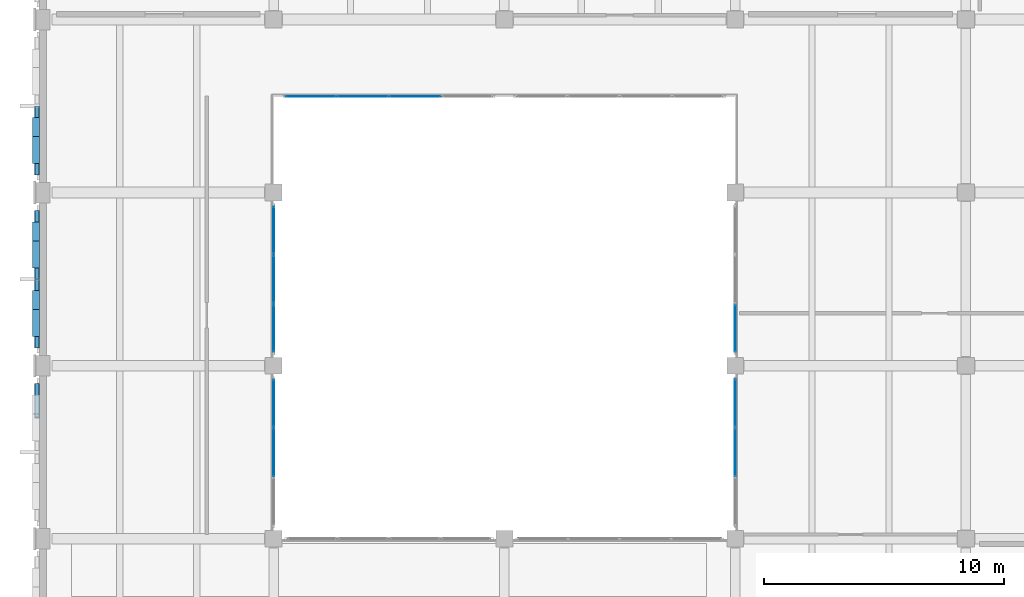
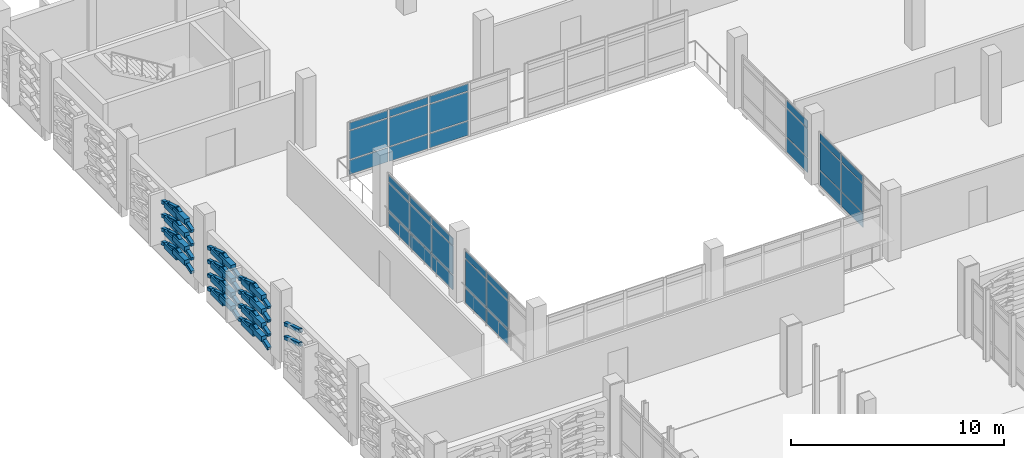
# One storey, part 97 of 134: 83 plates, 5 elements without a shape of their own.
"""IFC4 building model written with IfcOpenShell, lengths in metres."""

from ifc_helpers import new_model, si_unit, direction, frame, origin, origin_2d, place, context, subcontext, project, spatial, rectangle, hollow_rectangle, extrude, material, layer, layer_set, material_profile, profile_set, type_object, element, aggregate, save


model = new_model("IFC4")

# Units and contexts
model_context = context("Model", 3, precision=1e-05, world=origin(), true_north=direction((0.0, 1.0)))
body_context = subcontext(model_context, "Body", "Model", "MODEL_VIEW")
ifc_project = project(units=[si_unit("LENGTHUNIT", "METRE"), si_unit("AREAUNIT", "SQUARE_METRE"), si_unit("VOLUMEUNIT", "CUBIC_METRE"), si_unit("PLANEANGLEUNIT", "RADIAN"), si_unit("MASSUNIT", "GRAM", prefix="KILO")], contexts=[model_context])

# Site, building, storey
site_placement = place(None, origin())
site = spatial("IfcSite", under=ifc_project, at=site_placement, CompositionType="ELEMENT")
building_placement = place(site_placement, origin())
building = spatial("IfcBuilding", under=site, at=building_placement, Name="Asteropetra Specialist Clinic", CompositionType="ELEMENT")
storey_placement = place(building_placement, frame((0.0, 0.0, 8.5)))
storey = spatial("IfcBuildingStorey", under=building, at=storey_placement, Name="L02", CompositionType="ELEMENT", Elevation=8.5)

# Plates
ifc_material_1 = material(Name="Chevron emerald aluminium 6063-T6", Category="aluminium")
ifc_material_profile = material_profile(ifc_material_1, hollow_rectangle(XDim=0.199951171875, YDim=0.199951171875, WallThickness=0.010009765625, InnerFilletRadius=0.008056640625, OuterFilletRadius=0.01611328125, at=origin_2d()), Name="SHS 200x200x10.0")
ifc_profile_set = profile_set([ifc_material_profile], Name="Chevron emerald aluminium 6063-T6")
plate_type_1 = type_object("IfcPlateType", Name="CHV-RIB-200", PredefinedType="SHEET", material=ifc_profile_set)
plate_1_placement = place(storey_placement, frame((-0.241943359375, 83.235107421875, 1.6201171875), z_axis=(0.0, -0.952525753893, 0.30445802366), x_axis=(1.0, 0.0, 0.0)))
element("IfcPlate", 1, at=plate_1_placement, inside=storey, type_object=plate_type_1, Name="Chevron Facade Screen Fin CVR-1063", PredefinedType="SHEET", context=body_context, shape_type="SweptSolid", body=[
    extrude(hollow_rectangle(XDim=0.199951171875, YDim=0.199951171875, WallThickness=0.010009765625, InnerFilletRadius=0.008056640625, OuterFilletRadius=0.01611328125, at=origin_2d()), origin(), (0.0, 0.0, 1.0), 1.477783203125),
])
plate_2_placement = place(storey_placement, frame((-0.241943359375, 83.235107421875, 2.39990234375), z_axis=(0.0, -0.95247783671, 0.304607896444), x_axis=(1.0, 0.0, 0.0)))
element("IfcPlate", 2, at=plate_2_placement, inside=storey, type_object=plate_type_1, Name="Chevron Facade Screen Fin CVR-1065", PredefinedType="SHEET", context=body_context, shape_type="SweptSolid", body=[
    extrude(hollow_rectangle(XDim=0.199951171875, YDim=0.199951171875, WallThickness=0.010009765625, InnerFilletRadius=0.008056640625, OuterFilletRadius=0.01611328125, at=origin_2d()), origin(), (0.0, 0.0, 1.0), 1.47802734375),
])
for number, where, z_axis, x_axis, name in (
    (3, (-0.241943359375, 90.43505859375, 0.050048828125), (0.0, -0.952510437396, 0.304505938616), (1.0, 0.0, 0.0), "Chevron Facade Screen Fin CVR-1091"),
    (4, (-0.241943359375, 89.027587890625, 0.5), (0.0, -0.952510437396, -0.304505938616), (1.0, 0.0, 0.0), "Chevron Facade Screen Fin CVR-1092"),
    (5, (-0.241943359375, 90.43505859375, 0.820068359375), (0.0, -0.952510437396, 0.304505938616), (1.0, 0.0, 0.0), "Chevron Facade Screen Fin CVR-1093"),
    (6, (-0.241943359375, 89.027587890625, 1.27001953125), (0.0, -0.952510437396, -0.304505938616), (1.0, 0.0, 0.0), "Chevron Facade Screen Fin CVR-1094"),
    (7, (-0.241943359375, 90.43505859375, 1.6201171875), (0.0, -0.952510437396, 0.304505938616), (1.0, 0.0, 0.0), "Chevron Facade Screen Fin CVR-1095"),
    (8, (-0.241943359375, 89.027587890625, 2.070068359375), (0.0, -0.952510437396, -0.304505938616), (1.0, 0.0, 0.0), "Chevron Facade Screen Fin CVR-1096"),
):
    element("IfcPlate", number, at=place(storey_placement, frame(where, z_axis=z_axis, x_axis=x_axis)), inside=storey, type_object=plate_type_1, Name=name, PredefinedType="SHEET", context=body_context, shape_type="SweptSolid", body=[
        extrude(hollow_rectangle(XDim=0.199951171875, YDim=0.199951171875, WallThickness=0.010009765625, InnerFilletRadius=0.008056640625, OuterFilletRadius=0.01611328125, at=origin_2d()), origin(), (0.0, 0.0, 1.0), 1.4775390625),
    ])
for number, where, z_axis, x_axis, name in (
    (9, (-0.241943359375, 90.43505859375, 2.39990234375), (0.0, -0.952462505902, 0.304655830162), (1.0, 0.0, 0.0), "Chevron Facade Screen Fin CVR-1097"),
    (10, (-0.241943359375, 89.027587890625, 2.85009765625), (0.0, -0.952462505902, -0.304655830162), (1.0, 0.0, 0.0), "Chevron Facade Screen Fin CVR-1098"),
):
    element("IfcPlate", number, at=place(storey_placement, frame(where, z_axis=z_axis, x_axis=x_axis)), inside=storey, type_object=plate_type_1, Name=name, PredefinedType="SHEET", context=body_context, shape_type="SweptSolid", body=[
        extrude(hollow_rectangle(XDim=0.199951171875, YDim=0.199951171875, WallThickness=0.010009765625, InnerFilletRadius=0.008056640625, OuterFilletRadius=0.01611328125, at=origin_2d()), origin(), (0.0, 0.0, 1.0), 1.477783203125),
    ])
plate_3_placement = place(storey_placement, frame((-0.241943359375, 87.580078125, 0.050048828125), z_axis=(0.0, -0.952510437396, 0.304505938616), x_axis=(1.0, 0.0, 0.0)))
element("IfcPlate", 11, at=plate_3_placement, inside=storey, type_object=plate_type_1, Name="Chevron Facade Screen Fin CVR-1099", PredefinedType="SHEET", context=body_context, shape_type="SweptSolid", body=[
    extrude(hollow_rectangle(XDim=0.199951171875, YDim=0.199951171875, WallThickness=0.010009765625, InnerFilletRadius=0.008056640625, OuterFilletRadius=0.01611328125, at=origin_2d()), origin(), (0.0, 0.0, 1.0), 1.4775390625),
])
plate_4_placement = place(storey_placement, frame((-0.241943359375, 86.172607421875, 0.5), z_axis=(0.0, -0.952525753893, -0.30445802366), x_axis=(1.0, 0.0, 0.0)))
element("IfcPlate", 12, at=plate_4_placement, inside=storey, type_object=plate_type_1, Name="Chevron Facade Screen Fin CVR-1100", PredefinedType="SHEET", context=body_context, shape_type="SweptSolid", body=[
    extrude(hollow_rectangle(XDim=0.199951171875, YDim=0.199951171875, WallThickness=0.010009765625, InnerFilletRadius=0.008056640625, OuterFilletRadius=0.01611328125, at=origin_2d()), origin(), (0.0, 0.0, 1.0), 1.477783203125),
])
plate_5_placement = place(storey_placement, frame((-0.241943359375, 87.580078125, 0.820068359375), z_axis=(0.0, -0.952510437396, 0.304505938616), x_axis=(1.0, 0.0, 0.0)))
element("IfcPlate", 13, at=plate_5_placement, inside=storey, type_object=plate_type_1, Name="Chevron Facade Screen Fin CVR-1101", PredefinedType="SHEET", context=body_context, shape_type="SweptSolid", body=[
    extrude(hollow_rectangle(XDim=0.199951171875, YDim=0.199951171875, WallThickness=0.010009765625, InnerFilletRadius=0.008056640625, OuterFilletRadius=0.01611328125, at=origin_2d()), origin(), (0.0, 0.0, 1.0), 1.4775390625),
])
plate_6_placement = place(storey_placement, frame((-0.241943359375, 86.172607421875, 1.27001953125), z_axis=(0.0, -0.952525753893, -0.30445802366), x_axis=(1.0, 0.0, 0.0)))
element("IfcPlate", 14, at=plate_6_placement, inside=storey, type_object=plate_type_1, Name="Chevron Facade Screen Fin CVR-1102", PredefinedType="SHEET", context=body_context, shape_type="SweptSolid", body=[
    extrude(hollow_rectangle(XDim=0.199951171875, YDim=0.199951171875, WallThickness=0.010009765625, InnerFilletRadius=0.008056640625, OuterFilletRadius=0.01611328125, at=origin_2d()), origin(), (0.0, 0.0, 1.0), 1.477783203125),
])
plate_7_placement = place(storey_placement, frame((-0.241943359375, 87.580078125, 1.6201171875), z_axis=(0.0, -0.952510437396, 0.304505938616), x_axis=(1.0, 0.0, 0.0)))
element("IfcPlate", 15, at=plate_7_placement, inside=storey, type_object=plate_type_1, Name="Chevron Facade Screen Fin CVR-1103", PredefinedType="SHEET", context=body_context, shape_type="SweptSolid", body=[
    extrude(hollow_rectangle(XDim=0.199951171875, YDim=0.199951171875, WallThickness=0.010009765625, InnerFilletRadius=0.008056640625, OuterFilletRadius=0.01611328125, at=origin_2d()), origin(), (0.0, 0.0, 1.0), 1.4775390625),
])
for number, where, z_axis, x_axis, name in (
    (16, (-0.241943359375, 86.172607421875, 2.070068359375), (0.0, -0.952525753893, -0.30445802366), (1.0, 0.0, 0.0), "Chevron Facade Screen Fin CVR-1104"),
    (17, (-0.241943359375, 87.580078125, 2.39990234375), (0.0, -0.952462505902, 0.304655830162), (1.0, 0.0, 0.0), "Chevron Facade Screen Fin CVR-1105"),
):
    element("IfcPlate", number, at=place(storey_placement, frame(where, z_axis=z_axis, x_axis=x_axis)), inside=storey, type_object=plate_type_1, Name=name, PredefinedType="SHEET", context=body_context, shape_type="SweptSolid", body=[
        extrude(hollow_rectangle(XDim=0.199951171875, YDim=0.199951171875, WallThickness=0.010009765625, InnerFilletRadius=0.008056640625, OuterFilletRadius=0.01611328125, at=origin_2d()), origin(), (0.0, 0.0, 1.0), 1.477783203125),
    ])
plate_8_placement = place(storey_placement, frame((-0.241943359375, 86.172607421875, 2.85009765625), z_axis=(0.0, -0.95247783671, -0.304607896444), x_axis=(1.0, 0.0, 0.0)))
element("IfcPlate", 18, at=plate_8_placement, inside=storey, type_object=plate_type_1, Name="Chevron Facade Screen Fin CVR-1106", PredefinedType="SHEET", context=body_context, shape_type="SweptSolid", body=[
    extrude(hollow_rectangle(XDim=0.199951171875, YDim=0.199951171875, WallThickness=0.010009765625, InnerFilletRadius=0.008056640625, OuterFilletRadius=0.01611328125, at=origin_2d()), origin(), (0.0, 0.0, 1.0), 1.47802734375),
])
for number, where, z_axis, x_axis, name in (
    (19, (-0.241943359375, 94.780029296875, 0.050048828125), (0.0, -0.952510437396, 0.304505938616), (1.0, 0.0, 0.0), "Chevron Facade Screen Fin CVR-1131"),
    (20, (-0.241943359375, 93.37255859375, 0.5), (0.0, -0.952510437396, -0.304505938616), (1.0, 0.0, 0.0), "Chevron Facade Screen Fin CVR-1132"),
    (21, (-0.241943359375, 94.780029296875, 0.820068359375), (0.0, -0.952510437396, 0.304505938616), (1.0, 0.0, 0.0), "Chevron Facade Screen Fin CVR-1133"),
    (22, (-0.241943359375, 93.37255859375, 1.27001953125), (0.0, -0.952510437396, -0.304505938616), (1.0, 0.0, 0.0), "Chevron Facade Screen Fin CVR-1134"),
    (23, (-0.241943359375, 94.780029296875, 1.6201171875), (0.0, -0.952510437396, 0.304505938616), (1.0, 0.0, 0.0), "Chevron Facade Screen Fin CVR-1135"),
    (24, (-0.241943359375, 93.37255859375, 2.070068359375), (0.0, -0.952510437396, -0.304505938616), (1.0, 0.0, 0.0), "Chevron Facade Screen Fin CVR-1136"),
):
    element("IfcPlate", number, at=place(storey_placement, frame(where, z_axis=z_axis, x_axis=x_axis)), inside=storey, type_object=plate_type_1, Name=name, PredefinedType="SHEET", context=body_context, shape_type="SweptSolid", body=[
        extrude(hollow_rectangle(XDim=0.199951171875, YDim=0.199951171875, WallThickness=0.010009765625, InnerFilletRadius=0.008056640625, OuterFilletRadius=0.01611328125, at=origin_2d()), origin(), (0.0, 0.0, 1.0), 1.4775390625),
    ])
for number, where, z_axis, x_axis, name in (
    (25, (-0.241943359375, 94.780029296875, 2.39990234375), (0.0, -0.952462505902, 0.304655830162), (1.0, 0.0, 0.0), "Chevron Facade Screen Fin CVR-1137"),
    (26, (-0.241943359375, 93.37255859375, 2.85009765625), (0.0, -0.952462505902, -0.304655830162), (1.0, 0.0, 0.0), "Chevron Facade Screen Fin CVR-1138"),
):
    element("IfcPlate", number, at=place(storey_placement, frame(where, z_axis=z_axis, x_axis=x_axis)), inside=storey, type_object=plate_type_1, Name=name, PredefinedType="SHEET", context=body_context, shape_type="SweptSolid", body=[
        extrude(hollow_rectangle(XDim=0.199951171875, YDim=0.199951171875, WallThickness=0.010009765625, InnerFilletRadius=0.008056640625, OuterFilletRadius=0.01611328125, at=origin_2d()), origin(), (0.0, 0.0, 1.0), 1.477783203125),
    ])

# Curtain wall, plates
ifc_material_2 = material(Name="Aluminium and low-E glass", Category="aluminium")
ifc_layer_1 = layer(ifc_material_2, 0.135009765625)
ifc_layer_set_1 = layer_set([ifc_layer_1], Name="Aluminium and low-E glass")
curtain_wall_type_1 = type_object("IfcCurtainWallType", Name="CW-SYS-06", PredefinedType="USERDEFINED", material=ifc_layer_set_1)
curtain_wall_1_placement = place(storey_placement, origin())
curtain_wall_1 = element("IfcCurtainWall", 27, at=curtain_wall_1_placement, inside=storey, type_object=curtain_wall_type_1, Name="Curtain Wall CW-040", ObjectType="UNITISED CURTAIN WALL", PredefinedType="USERDEFINED")
ifc_material_3 = material(Name="Low-E double glazing", Category="glass")
ifc_layer_2 = layer(ifc_material_3, 0.028076171875)
ifc_layer_set_2 = layer_set([ifc_layer_2], Name="Low-E double glazing")
plate_type_2 = type_object("IfcPlateType", Name="CWP-GLZ-28", PredefinedType="CURTAIN_PANEL", material=ifc_layer_set_2)
plate_9_placement = place(storey_placement, frame((28.800048828125, 85.55615234375, 0.06494140625), z_axis=(0.0, 0.0, 1.0), x_axis=(0.0, 1.0, 0.0)))
plate_9 = element("IfcPlate", 28, at=plate_9_placement, type_object=plate_type_2, Name="CW-040 panel 1.1", PredefinedType="CURTAIN_PANEL", context=body_context, shape_type="SweptSolid", body=[
    extrude(rectangle(XDim=1.96240234375, YDim=0.028076171875, at=origin_2d()), origin(), (0.0, 0.0, 1.0), 0.802490234375),
])
plate_10_placement = place(storey_placement, frame((28.800048828125, 85.55615234375, 0.9326171875), z_axis=(0.0, 0.0, 1.0), x_axis=(0.0, 1.0, 0.0)))
plate_10 = element("IfcPlate", 29, at=plate_10_placement, type_object=plate_type_2, Name="CW-040 panel 1.2", PredefinedType="CURTAIN_PANEL", context=body_context, shape_type="SweptSolid", body=[
    extrude(rectangle(XDim=1.96240234375, YDim=0.028076171875, at=origin_2d()), origin(), (0.0, 0.0, 1.0), 1.614990234375),
])
plate_11_placement = place(storey_placement, frame((28.800048828125, 85.55615234375, 2.6123046875), z_axis=(0.0, 0.0, 1.0), x_axis=(0.0, 1.0, 0.0)))
plate_11 = element("IfcPlate", 30, at=plate_11_placement, type_object=plate_type_2, Name="CW-040 panel 1.3", PredefinedType="CURTAIN_PANEL", context=body_context, shape_type="SweptSolid", body=[
    extrude(rectangle(XDim=1.96240234375, YDim=0.028076171875, at=origin_2d()), origin(), (0.0, 0.0, 1.0), 0.402587890625),
])
aggregate(curtain_wall_1, [plate_9, plate_10, plate_11])

ifc_material_4 = material(Name="Aluminium and low-E glass", Category="aluminium")
ifc_layer_3 = layer(ifc_material_4, 0.179931640625)
ifc_layer_set_3 = layer_set([ifc_layer_3], Name="Aluminium and low-E glass")
curtain_wall_type_2 = type_object("IfcCurtainWallType", Name="CW-SYS-04", PredefinedType="USERDEFINED", material=ifc_layer_set_3)
curtain_wall_2_placement = place(storey_placement, origin())
curtain_wall_2 = element("IfcCurtainWall", 31, at=curtain_wall_2_placement, inside=storey, type_object=curtain_wall_type_2, Name="Curtain Wall CW-037", ObjectType="UNITISED CURTAIN WALL", PredefinedType="USERDEFINED")
ifc_material_5 = material(Name="Low-E acoustic double glazing", Category="glass")
ifc_layer_4 = layer(ifc_material_5, 0.031982421875)
ifc_layer_set_4 = layer_set([ifc_layer_4], Name="Low-E acoustic double glazing")
plate_type_3 = type_object("IfcPlateType", Name="CWP-GLZ-32", PredefinedType="CURTAIN_PANEL", material=ifc_layer_set_4)
plate_12_placement = place(storey_placement, frame((9.60009765625, 82.44384765625, 0.06494140625), z_axis=(0.0, 0.0, 1.0), x_axis=(0.0, -1.0, 0.0)))
plate_12 = element("IfcPlate", 32, at=plate_12_placement, type_object=plate_type_3, Name="CW-037 panel 1.1", PredefinedType="CURTAIN_PANEL", context=body_context, shape_type="SweptSolid", body=[
    extrude(rectangle(XDim=1.96240234375, YDim=0.031982421875, at=origin_2d()), origin(), (0.0, 0.0, 1.0), 0.802490234375),
])
plate_13_placement = place(storey_placement, frame((9.60009765625, 82.44384765625, 0.9326171875), z_axis=(0.0, 0.0, 1.0), x_axis=(0.0, -1.0, 0.0)))
plate_13 = element("IfcPlate", 33, at=plate_13_placement, type_object=plate_type_3, Name="CW-037 panel 1.2", PredefinedType="CURTAIN_PANEL", context=body_context, shape_type="SweptSolid", body=[
    extrude(rectangle(XDim=1.96240234375, YDim=0.031982421875, at=origin_2d()), origin(), (0.0, 0.0, 1.0), 1.614990234375),
])
plate_14_placement = place(storey_placement, frame((9.60009765625, 82.44384765625, 2.6123046875), z_axis=(0.0, 0.0, 1.0), x_axis=(0.0, -1.0, 0.0)))
plate_14 = element("IfcPlate", 34, at=plate_14_placement, type_object=plate_type_3, Name="CW-037 panel 1.3", PredefinedType="CURTAIN_PANEL", context=body_context, shape_type="SweptSolid", body=[
    extrude(rectangle(XDim=1.96240234375, YDim=0.031982421875, at=origin_2d()), origin(), (0.0, 0.0, 1.0), 0.402587890625),
])
plate_15_placement = place(storey_placement, frame((9.60009765625, 80.39990234375, 0.06494140625), z_axis=(0.0, 0.0, 1.0), x_axis=(0.0, -1.0, 0.0)))
plate_15 = element("IfcPlate", 35, at=plate_15_placement, type_object=plate_type_3, Name="CW-037 panel 2.1", PredefinedType="CURTAIN_PANEL", context=body_context, shape_type="SweptSolid", body=[
    extrude(rectangle(XDim=1.9951171875, YDim=0.031982421875, at=origin_2d()), origin(), (0.0, 0.0, 1.0), 0.802490234375),
])
plate_16_placement = place(storey_placement, frame((9.60009765625, 80.39990234375, 0.9326171875), z_axis=(0.0, 0.0, 1.0), x_axis=(0.0, -1.0, 0.0)))
plate_16 = element("IfcPlate", 36, at=plate_16_placement, type_object=plate_type_3, Name="CW-037 panel 2.2", PredefinedType="CURTAIN_PANEL", context=body_context, shape_type="SweptSolid", body=[
    extrude(rectangle(XDim=1.9951171875, YDim=0.031982421875, at=origin_2d()), origin(), (0.0, 0.0, 1.0), 1.614990234375),
])
plate_17_placement = place(storey_placement, frame((9.60009765625, 80.39990234375, 2.6123046875), z_axis=(0.0, 0.0, 1.0), x_axis=(0.0, -1.0, 0.0)))
plate_17 = element("IfcPlate", 37, at=plate_17_placement, type_object=plate_type_3, Name="CW-037 panel 2.3", PredefinedType="CURTAIN_PANEL", context=body_context, shape_type="SweptSolid", body=[
    extrude(rectangle(XDim=1.9951171875, YDim=0.031982421875, at=origin_2d()), origin(), (0.0, 0.0, 1.0), 0.402587890625),
])
aggregate(curtain_wall_2, [plate_12, plate_13, plate_14, plate_15, plate_16, plate_17])

ifc_material_6 = material(Name="Aluminium and low-E glass", Category="aluminium")
ifc_layer_5 = layer(ifc_material_6, 0.135009765625)
ifc_layer_set_5 = layer_set([ifc_layer_5], Name="Aluminium and low-E glass")
curtain_wall_type_3 = type_object("IfcCurtainWallType", Name="CW-SYS-03", PredefinedType="USERDEFINED", material=ifc_layer_set_5)
curtain_wall_3_placement = place(storey_placement, origin())
curtain_wall_3 = element("IfcCurtainWall", 38, at=curtain_wall_3_placement, inside=storey, type_object=curtain_wall_type_3, Name="Curtain Wall CW-034", ObjectType="UNITISED CURTAIN WALL", PredefinedType="USERDEFINED")
ifc_material_7 = material(Name="Solar-control triple glazing", Category="glass")
ifc_layer_6 = layer(ifc_material_7, 0.035888671875)
ifc_layer_set_6 = layer_set([ifc_layer_6], Name="Solar-control triple glazing")
plate_type_4 = type_object("IfcPlateType", Name="CWP-GLZ-36", PredefinedType="CURTAIN_PANEL", material=ifc_layer_set_6)
plate_18_placement = place(storey_placement, frame((15.489990234375, 95.199951171875, 0.06494140625), z_axis=(0.0, 0.0, 1.0), x_axis=(-1.0, 0.0, 0.0)))
plate_18 = element("IfcPlate", 39, at=plate_18_placement, type_object=plate_type_4, Name="CW-034 panel 2.1", PredefinedType="CURTAIN_PANEL", context=body_context, shape_type="SweptSolid", body=[
    extrude(rectangle(XDim=2.114990234375, YDim=0.035888671875, at=origin_2d()), origin(), (0.0, 0.0, 1.0), 0.802490234375),
])
plate_19_placement = place(storey_placement, frame((15.489990234375, 95.199951171875, 0.9326171875), z_axis=(0.0, 0.0, 1.0), x_axis=(-1.0, 0.0, 0.0)))
plate_19 = element("IfcPlate", 40, at=plate_19_placement, type_object=plate_type_4, Name="CW-034 panel 2.2", PredefinedType="CURTAIN_PANEL", context=body_context, shape_type="SweptSolid", body=[
    extrude(rectangle(XDim=2.114990234375, YDim=0.035888671875, at=origin_2d()), origin(), (0.0, 0.0, 1.0), 1.614990234375),
])
plate_20_placement = place(storey_placement, frame((15.489990234375, 95.199951171875, 2.6123046875), z_axis=(0.0, 0.0, 1.0), x_axis=(-1.0, 0.0, 0.0)))
plate_20 = element("IfcPlate", 41, at=plate_20_placement, type_object=plate_type_4, Name="CW-034 panel 2.3", PredefinedType="CURTAIN_PANEL", context=body_context, shape_type="SweptSolid", body=[
    extrude(rectangle(XDim=2.114990234375, YDim=0.035888671875, at=origin_2d()), origin(), (0.0, 0.0, 1.0), 0.402587890625),
])
plate_21_placement = place(storey_placement, frame((13.31005859375, 95.199951171875, 0.06494140625), z_axis=(0.0, 0.0, 1.0), x_axis=(-1.0, 0.0, 0.0)))
plate_21 = element("IfcPlate", 42, at=plate_21_placement, type_object=plate_type_4, Name="CW-034 panel 3.1", PredefinedType="CURTAIN_PANEL", context=body_context, shape_type="SweptSolid", body=[
    extrude(rectangle(XDim=2.114990234375, YDim=0.035888671875, at=origin_2d()), origin(), (0.0, 0.0, 1.0), 0.802490234375),
])
plate_22_placement = place(storey_placement, frame((13.31005859375, 95.199951171875, 0.9326171875), z_axis=(0.0, 0.0, 1.0), x_axis=(-1.0, 0.0, 0.0)))
plate_22 = element("IfcPlate", 43, at=plate_22_placement, type_object=plate_type_4, Name="CW-034 panel 3.2", PredefinedType="CURTAIN_PANEL", context=body_context, shape_type="SweptSolid", body=[
    extrude(rectangle(XDim=2.114990234375, YDim=0.035888671875, at=origin_2d()), origin(), (0.0, 0.0, 1.0), 1.614990234375),
])
plate_23_placement = place(storey_placement, frame((13.31005859375, 95.199951171875, 2.6123046875), z_axis=(0.0, 0.0, 1.0), x_axis=(-1.0, 0.0, 0.0)))
plate_23 = element("IfcPlate", 44, at=plate_23_placement, type_object=plate_type_4, Name="CW-034 panel 3.3", PredefinedType="CURTAIN_PANEL", context=body_context, shape_type="SweptSolid", body=[
    extrude(rectangle(XDim=2.114990234375, YDim=0.035888671875, at=origin_2d()), origin(), (0.0, 0.0, 1.0), 0.402587890625),
])
plate_24_placement = place(storey_placement, frame((11.146240234375, 95.199951171875, 0.06494140625), z_axis=(0.0, 0.0, 1.0), x_axis=(-1.0, 0.0, 0.0)))
plate_24 = element("IfcPlate", 45, at=plate_24_placement, type_object=plate_type_4, Name="CW-034 panel 4.1", PredefinedType="CURTAIN_PANEL", context=body_context, shape_type="SweptSolid", body=[
    extrude(rectangle(XDim=2.08251953125, YDim=0.035888671875, at=origin_2d()), origin(), (0.0, 0.0, 1.0), 0.802490234375),
])
plate_25_placement = place(storey_placement, frame((11.146240234375, 95.199951171875, 0.9326171875), z_axis=(0.0, 0.0, 1.0), x_axis=(-1.0, 0.0, 0.0)))
plate_25 = element("IfcPlate", 46, at=plate_25_placement, type_object=plate_type_4, Name="CW-034 panel 4.2", PredefinedType="CURTAIN_PANEL", context=body_context, shape_type="SweptSolid", body=[
    extrude(rectangle(XDim=2.08251953125, YDim=0.035888671875, at=origin_2d()), origin(), (0.0, 0.0, 1.0), 1.614990234375),
])
plate_26_placement = place(storey_placement, frame((11.146240234375, 95.199951171875, 2.6123046875), z_axis=(0.0, 0.0, 1.0), x_axis=(-1.0, 0.0, 0.0)))
plate_26 = element("IfcPlate", 47, at=plate_26_placement, type_object=plate_type_4, Name="CW-034 panel 4.3", PredefinedType="CURTAIN_PANEL", context=body_context, shape_type="SweptSolid", body=[
    extrude(rectangle(XDim=2.08251953125, YDim=0.035888671875, at=origin_2d()), origin(), (0.0, 0.0, 1.0), 0.402587890625),
])
aggregate(curtain_wall_3, [plate_18, plate_19, plate_20, plate_21, plate_22, plate_23, plate_24, plate_25, plate_26])

ifc_material_8 = material(Name="Aluminium and low-E glass", Category="aluminium")
ifc_layer_7 = layer(ifc_material_8, 0.14990234375)
ifc_layer_set_7 = layer_set([ifc_layer_7], Name="Aluminium and low-E glass")
curtain_wall_type_4 = type_object("IfcCurtainWallType", Name="CW-SYS-05", PredefinedType="USERDEFINED", material=ifc_layer_set_7)
curtain_wall_4_placement = place(storey_placement, origin())
curtain_wall_4 = element("IfcCurtainWall", 48, at=curtain_wall_4_placement, inside=storey, type_object=curtain_wall_type_4, Name="Curtain Wall CW-038", ObjectType="UNITISED CURTAIN WALL", PredefinedType="USERDEFINED")
plate_27_placement = place(storey_placement, frame((28.800048828125, 80.39990234375, 0.06005859375), z_axis=(0.0, 0.0, 1.0), x_axis=(0.0, 1.0, 0.0)))
plate_27 = element("IfcPlate", 49, at=plate_27_placement, type_object=plate_type_4, Name="CW-038 panel 2.1", PredefinedType="CURTAIN_PANEL", context=body_context, shape_type="SweptSolid", body=[
    extrude(rectangle(XDim=2.0, YDim=0.035888671875, at=origin_2d()), origin(), (0.0, 0.0, 1.0), 0.81005859375),
])
plate_28_placement = place(storey_placement, frame((28.800048828125, 80.39990234375, 0.929931640625), z_axis=(0.0, 0.0, 1.0), x_axis=(0.0, 1.0, 0.0)))
plate_28 = element("IfcPlate", 50, at=plate_28_placement, type_object=plate_type_4, Name="CW-038 panel 2.2", PredefinedType="CURTAIN_PANEL", context=body_context, shape_type="SweptSolid", body=[
    extrude(rectangle(XDim=2.0, YDim=0.035888671875, at=origin_2d()), origin(), (0.0, 0.0, 1.0), 1.6201171875),
])
plate_29_placement = place(storey_placement, frame((28.800048828125, 80.39990234375, 2.60986328125), z_axis=(0.0, 0.0, 1.0), x_axis=(0.0, 1.0, 0.0)))
plate_29 = element("IfcPlate", 51, at=plate_29_placement, type_object=plate_type_4, Name="CW-038 panel 2.3", PredefinedType="CURTAIN_PANEL", context=body_context, shape_type="SweptSolid", body=[
    extrude(rectangle(XDim=2.0, YDim=0.035888671875, at=origin_2d()), origin(), (0.0, 0.0, 1.0), 0.409912109375),
])
plate_30_placement = place(storey_placement, frame((28.800048828125, 82.445068359375, 0.06005859375), z_axis=(0.0, 0.0, 1.0), x_axis=(0.0, 1.0, 0.0)))
plate_30 = element("IfcPlate", 52, at=plate_30_placement, type_object=plate_type_4, Name="CW-038 panel 3.1", PredefinedType="CURTAIN_PANEL", context=body_context, shape_type="SweptSolid", body=[
    extrude(rectangle(XDim=1.969970703125, YDim=0.035888671875, at=origin_2d()), origin(), (0.0, 0.0, 1.0), 0.81005859375),
])
plate_31_placement = place(storey_placement, frame((28.800048828125, 82.445068359375, 0.929931640625), z_axis=(0.0, 0.0, 1.0), x_axis=(0.0, 1.0, 0.0)))
plate_31 = element("IfcPlate", 53, at=plate_31_placement, type_object=plate_type_4, Name="CW-038 panel 3.2", PredefinedType="CURTAIN_PANEL", context=body_context, shape_type="SweptSolid", body=[
    extrude(rectangle(XDim=1.969970703125, YDim=0.035888671875, at=origin_2d()), origin(), (0.0, 0.0, 1.0), 1.6201171875),
])
plate_32_placement = place(storey_placement, frame((28.800048828125, 82.445068359375, 2.60986328125), z_axis=(0.0, 0.0, 1.0), x_axis=(0.0, 1.0, 0.0)))
plate_32 = element("IfcPlate", 54, at=plate_32_placement, type_object=plate_type_4, Name="CW-038 panel 3.3", PredefinedType="CURTAIN_PANEL", context=body_context, shape_type="SweptSolid", body=[
    extrude(rectangle(XDim=1.969970703125, YDim=0.035888671875, at=origin_2d()), origin(), (0.0, 0.0, 1.0), 0.409912109375),
])
aggregate(curtain_wall_4, [plate_27, plate_28, plate_29, plate_30, plate_31, plate_32])

curtain_wall_5_placement = place(storey_placement, origin())
curtain_wall_5 = element("IfcCurtainWall", 55, at=curtain_wall_5_placement, inside=storey, type_object=curtain_wall_type_4, Name="Curtain Wall CW-039", ObjectType="UNITISED CURTAIN WALL", PredefinedType="USERDEFINED")
ifc_material_9 = material(Name="Laminated skylight glazing", Category="glass")
ifc_layer_8 = layer(ifc_material_9, 0.0400390625)
ifc_layer_set_8 = layer_set([ifc_layer_8], Name="Laminated skylight glazing")
plate_type_5 = type_object("IfcPlateType", Name="CWP-GLZ-40", PredefinedType="CURTAIN_PANEL", material=ifc_layer_set_8)
plate_33_placement = place(storey_placement, frame((9.60009765625, 89.641357421875, 0.074951171875), z_axis=(0.0, 0.0, 1.0), x_axis=(0.0, -1.0, 0.0)))
plate_33 = element("IfcPlate", 56, at=plate_33_placement, type_object=plate_type_5, Name="CW-039 panel 1.1", PredefinedType="CURTAIN_PANEL", context=body_context, shape_type="SweptSolid", body=[
    extrude(rectangle(XDim=1.947509765625, YDim=0.0400390625, at=origin_2d()), origin(), (0.0, 0.0, 1.0), 0.78759765625),
])
plate_34_placement = place(storey_placement, frame((9.60009765625, 89.641357421875, 0.9375), z_axis=(0.0, 0.0, 1.0), x_axis=(0.0, -1.0, 0.0)))
plate_34 = element("IfcPlate", 57, at=plate_34_placement, type_object=plate_type_5, Name="CW-039 panel 1.2", PredefinedType="CURTAIN_PANEL", context=body_context, shape_type="SweptSolid", body=[
    extrude(rectangle(XDim=1.947509765625, YDim=0.0400390625, at=origin_2d()), origin(), (0.0, 0.0, 1.0), 1.60498046875),
])
plate_35_placement = place(storey_placement, frame((9.60009765625, 89.641357421875, 2.61767578125), z_axis=(0.0, 0.0, 1.0), x_axis=(0.0, -1.0, 0.0)))
plate_35 = element("IfcPlate", 58, at=plate_35_placement, type_object=plate_type_5, Name="CW-039 panel 1.3", PredefinedType="CURTAIN_PANEL", context=body_context, shape_type="SweptSolid", body=[
    extrude(rectangle(XDim=1.947509765625, YDim=0.0400390625, at=origin_2d()), origin(), (0.0, 0.0, 1.0), 0.387451171875),
])
plate_36_placement = place(storey_placement, frame((9.60009765625, 87.60009765625, 0.074951171875), z_axis=(0.0, 0.0, 1.0), x_axis=(0.0, -1.0, 0.0)))
plate_36 = element("IfcPlate", 59, at=plate_36_placement, type_object=plate_type_5, Name="CW-039 panel 2.1", PredefinedType="CURTAIN_PANEL", context=body_context, shape_type="SweptSolid", body=[
    extrude(rectangle(XDim=1.985107421875, YDim=0.0400390625, at=origin_2d()), origin(), (0.0, 0.0, 1.0), 0.78759765625),
])
plate_37_placement = place(storey_placement, frame((9.60009765625, 87.60009765625, 0.9375), z_axis=(0.0, 0.0, 1.0), x_axis=(0.0, -1.0, 0.0)))
plate_37 = element("IfcPlate", 60, at=plate_37_placement, type_object=plate_type_5, Name="CW-039 panel 2.2", PredefinedType="CURTAIN_PANEL", context=body_context, shape_type="SweptSolid", body=[
    extrude(rectangle(XDim=1.985107421875, YDim=0.0400390625, at=origin_2d()), origin(), (0.0, 0.0, 1.0), 1.60498046875),
])
plate_38_placement = place(storey_placement, frame((9.60009765625, 87.60009765625, 2.61767578125), z_axis=(0.0, 0.0, 1.0), x_axis=(0.0, -1.0, 0.0)))
plate_38 = element("IfcPlate", 61, at=plate_38_placement, type_object=plate_type_5, Name="CW-039 panel 2.3", PredefinedType="CURTAIN_PANEL", context=body_context, shape_type="SweptSolid", body=[
    extrude(rectangle(XDim=1.985107421875, YDim=0.0400390625, at=origin_2d()), origin(), (0.0, 0.0, 1.0), 0.387451171875),
])
plate_39_placement = place(storey_placement, frame((9.60009765625, 85.558837890625, 0.074951171875), z_axis=(0.0, 0.0, 1.0), x_axis=(0.0, -1.0, 0.0)))
plate_39 = element("IfcPlate", 62, at=plate_39_placement, type_object=plate_type_5, Name="CW-039 panel 3.1", PredefinedType="CURTAIN_PANEL", context=body_context, shape_type="SweptSolid", body=[
    extrude(rectangle(XDim=1.947509765625, YDim=0.0400390625, at=origin_2d()), origin(), (0.0, 0.0, 1.0), 0.78759765625),
])
plate_40_placement = place(storey_placement, frame((9.60009765625, 85.558837890625, 0.9375), z_axis=(0.0, 0.0, 1.0), x_axis=(0.0, -1.0, 0.0)))
plate_40 = element("IfcPlate", 63, at=plate_40_placement, type_object=plate_type_5, Name="CW-039 panel 3.2", PredefinedType="CURTAIN_PANEL", context=body_context, shape_type="SweptSolid", body=[
    extrude(rectangle(XDim=1.947509765625, YDim=0.0400390625, at=origin_2d()), origin(), (0.0, 0.0, 1.0), 1.60498046875),
])
plate_41_placement = place(storey_placement, frame((9.60009765625, 85.558837890625, 2.61767578125), z_axis=(0.0, 0.0, 1.0), x_axis=(0.0, -1.0, 0.0)))
plate_41 = element("IfcPlate", 64, at=plate_41_placement, type_object=plate_type_5, Name="CW-039 panel 3.3", PredefinedType="CURTAIN_PANEL", context=body_context, shape_type="SweptSolid", body=[
    extrude(rectangle(XDim=1.947509765625, YDim=0.0400390625, at=origin_2d()), origin(), (0.0, 0.0, 1.0), 0.387451171875),
])
aggregate(curtain_wall_5, [plate_33, plate_34, plate_35, plate_36, plate_37, plate_38, plate_39, plate_40, plate_41])

# Plates
ifc_material_10 = material(Name="Aluminium 6063-T6", Category="aluminium")
ifc_layer_9 = layer(ifc_material_10, 0.139892578125)
ifc_layer_set_9 = layer_set([ifc_layer_9], Name="Aluminium 6063-T6")
plate_type_6 = type_object("IfcPlateType", Name="PLT-CHV-TILE", PredefinedType="SHEET", material=ifc_layer_set_9)
for number, where, z_axis, x_axis, name in (
    (65, (-0.280029296875, 89.421630859375, 0.03515625), (0.0, 0.0, 1.0), (1.0, 0.0, 0.0), "Chevron Ceramic Panel CPT-0761"),
    (66, (-0.280029296875, 88.63330078125, 0.2060546875), (0.0, 0.0, 1.0), (1.0, 0.0, 0.0), "Chevron Ceramic Panel CPT-0762"),
    (67, (-0.280029296875, 89.421630859375, 0.80517578125), (0.0, 0.0, 1.0), (1.0, 0.0, 0.0), "Chevron Ceramic Panel CPT-0763"),
    (68, (-0.280029296875, 88.63330078125, 0.97607421875), (0.0, 0.0, 1.0), (1.0, 0.0, 0.0), "Chevron Ceramic Panel CPT-0764"),
    (69, (-0.280029296875, 89.421630859375, 1.60498046875), (0.0, 0.0, 1.0), (1.0, 0.0, 0.0), "Chevron Ceramic Panel CPT-0765"),
    (70, (-0.280029296875, 88.63330078125, 1.77587890625), (0.0, 0.0, 1.0), (1.0, 0.0, 0.0), "Chevron Ceramic Panel CPT-0766"),
    (71, (-0.280029296875, 89.421630859375, 2.384765625), (0.0, 0.0, 1.0), (1.0, 0.0, 0.0), "Chevron Ceramic Panel CPT-0767"),
    (72, (-0.280029296875, 88.63330078125, 2.55615234375), (0.0, 0.0, 1.0), (1.0, 0.0, 0.0), "Chevron Ceramic Panel CPT-0768"),
    (73, (-0.280029296875, 86.566650390625, 0.03515625), (0.0, 0.0, 1.0), (1.0, 0.0, 0.0), "Chevron Ceramic Panel CPT-0769"),
    (74, (-0.280029296875, 85.7783203125, 0.2060546875), (0.0, 0.0, 1.0), (1.0, 0.0, 0.0), "Chevron Ceramic Panel CPT-0770"),
    (75, (-0.280029296875, 86.566650390625, 0.80517578125), (0.0, 0.0, 1.0), (1.0, 0.0, 0.0), "Chevron Ceramic Panel CPT-0771"),
    (76, (-0.280029296875, 85.7783203125, 0.97607421875), (0.0, 0.0, 1.0), (1.0, 0.0, 0.0), "Chevron Ceramic Panel CPT-0772"),
    (77, (-0.280029296875, 86.566650390625, 1.60498046875), (0.0, 0.0, 1.0), (1.0, 0.0, 0.0), "Chevron Ceramic Panel CPT-0773"),
    (78, (-0.280029296875, 85.7783203125, 1.77587890625), (0.0, 0.0, 1.0), (1.0, 0.0, 0.0), "Chevron Ceramic Panel CPT-0774"),
    (79, (-0.280029296875, 86.566650390625, 2.384765625), (0.0, 0.0, 1.0), (1.0, 0.0, 0.0), "Chevron Ceramic Panel CPT-0775"),
    (80, (-0.280029296875, 85.7783203125, 2.55615234375), (0.0, 0.0, 1.0), (1.0, 0.0, 0.0), "Chevron Ceramic Panel CPT-0776"),
    (81, (-0.280029296875, 93.7666015625, 0.03515625), (0.0, 0.0, 1.0), (1.0, 0.0, 0.0), "Chevron Ceramic Panel CPT-0801"),
    (82, (-0.280029296875, 92.978515625, 0.2060546875), (0.0, 0.0, 1.0), (1.0, 0.0, 0.0), "Chevron Ceramic Panel CPT-0802"),
    (83, (-0.280029296875, 93.7666015625, 0.80517578125), (0.0, 0.0, 1.0), (1.0, 0.0, 0.0), "Chevron Ceramic Panel CPT-0803"),
    (84, (-0.280029296875, 92.978515625, 0.97607421875), (0.0, 0.0, 1.0), (1.0, 0.0, 0.0), "Chevron Ceramic Panel CPT-0804"),
    (85, (-0.280029296875, 93.7666015625, 1.60498046875), (0.0, 0.0, 1.0), (1.0, 0.0, 0.0), "Chevron Ceramic Panel CPT-0805"),
    (86, (-0.280029296875, 92.978515625, 1.77587890625), (0.0, 0.0, 1.0), (1.0, 0.0, 0.0), "Chevron Ceramic Panel CPT-0806"),
    (87, (-0.280029296875, 93.7666015625, 2.384765625), (0.0, 0.0, 1.0), (1.0, 0.0, 0.0), "Chevron Ceramic Panel CPT-0807"),
    (88, (-0.280029296875, 92.978515625, 2.55615234375), (0.0, 0.0, 1.0), (1.0, 0.0, 0.0), "Chevron Ceramic Panel CPT-0808"),
):
    element("IfcPlate", number, at=place(storey_placement, frame(where, z_axis=z_axis, x_axis=x_axis)), inside=storey, type_object=plate_type_6, Name=name, PredefinedType="SHEET", context=body_context, shape_type="SweptSolid", body=[
        extrude(rectangle(XDim=0.280029296875, YDim=1.1259765625, at=origin_2d()), origin(), (0.0, 0.0, 1.0), 0.300048828125),
    ])

save(model, "model.ifc")
